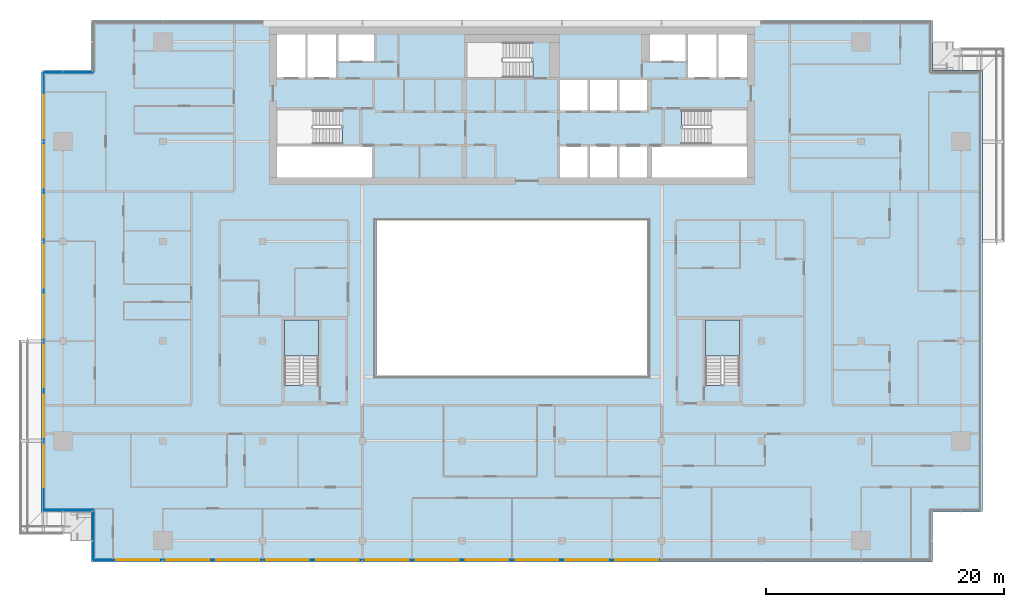
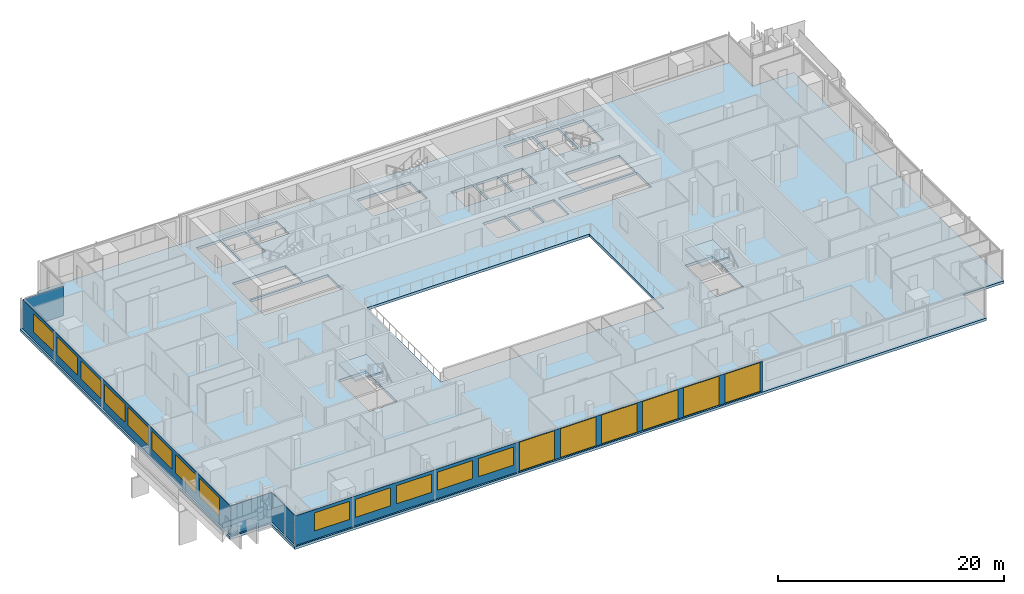
# One storey, part 14 of 30: 19 windows, 6 plates, 3 slabs, 19 openings, 7 elements without a shape of their own.
"""IFC4 building model written with IfcOpenShell, lengths in metres."""

from ifc_helpers import new_model, si_unit, direction, frame, frame_2d, origin, place, context, subcontext, project, spatial, polyline, rectangle, outline, extrude, material, layer, layer_set, type_object, element, fill, aggregate, save


model = new_model("IFC4")

# Units and contexts
model_context = context("Model", 3, precision=1e-05, world=origin(), true_north=direction((0.0, 1.0)))
body_context = subcontext(model_context, "Body", "Model", "MODEL_VIEW")
ifc_project = project(units=[si_unit("LENGTHUNIT", "METRE"), si_unit("AREAUNIT", "SQUARE_METRE"), si_unit("VOLUMEUNIT", "CUBIC_METRE"), si_unit("PLANEANGLEUNIT", "RADIAN"), si_unit("MASSUNIT", "GRAM", prefix="KILO")], contexts=[model_context])

# Site, building, storey
site_placement = place(None, origin())
site = spatial("IfcSite", under=ifc_project, at=site_placement, CompositionType="ELEMENT")
building_placement = place(site_placement, origin())
building = spatial("IfcBuilding", under=site, at=building_placement, Name="Saffron Gate Tower", CompositionType="ELEMENT")
storey_placement = place(building_placement, frame((0.0, 0.0, 245.10009765625)))
storey = spatial("IfcBuildingStorey", under=building, at=storey_placement, Name="L60", CompositionType="ELEMENT", Elevation=245.10009765625)

# Curtain wall, plates, openings, windows
ifc_material_1 = material(Name="Aluminium, bronze anodised", Category="aluminium")
curtain_wall_type_1 = type_object("IfcCurtainWallType", Name="CWS1 curtain wall front facade", PredefinedType="NOTDEFINED", material=ifc_material_1)
curtain_wall_1_placement = place(storey_placement, origin())
curtain_wall_1 = element("IfcCurtainWall", 1, at=curtain_wall_1_placement, inside=storey, type_object=curtain_wall_type_1, Name="CWS1 run 1", PredefinedType="NOTDEFINED")
ifc_material_2 = material(Name="Clear low-iron laminated glass", Category="glass")
ifc_layer_1 = layer(ifc_material_2, 0.028076171875)
ifc_layer_set_1 = layer_set([ifc_layer_1], Name="CWS1 clear glass")
plate_type_1 = type_object("IfcPlateType", Name="CWS1 clear glass", PredefinedType="CURTAIN_PANEL", material=ifc_layer_set_1)
plate_1_placement = place(storey_placement, frame((75.030029296875, 30.174072265625, 0.0), z_axis=(0.0, 0.0, 1.0), x_axis=(1.0, 0.0, 0.0)))
plate_1 = element("IfcPlate", 2, at=plate_1_placement, type_object=plate_type_1, Name="CWS1 clear glass panel", PredefinedType="CURTAIN_PANEL", context=body_context, shape_type="SweptSolid", body=[
    extrude(rectangle(XDim=25.139892578125, YDim=0.028076171875, at=frame_2d((12.56982421875, 0.0))), origin(), (0.0, 0.0, 1.0), 3.199951171875),
])
opening_1_placement = place(plate_1_placement, frame((0.27001953125, 0.0, 0.050048828125)))
opening_1 = element("IfcOpeningElement", 3, at=opening_1_placement, cuts=plate_1, Name="Opening WA", PredefinedType="OPENING", context=body_context, shape_type="SweptSolid", body=[
    extrude(rectangle(XDim=3.60009765625, YDim=3.10009765625, at=frame_2d((1.800048828125, 1.550048828125))), frame((0.0, 0.02392578125, 0.0), z_axis=(0.0, -1.0, 0.0), x_axis=(1.0, 0.0, 0.0)), (0.0, 0.0, 1.0), 0.048095703125),
])
opening_2_placement = place(plate_1_placement, frame((4.469970703125, 0.0, 0.050048828125)))
opening_2 = element("IfcOpeningElement", 4, at=opening_2_placement, cuts=plate_1, Name="Opening WA", PredefinedType="OPENING", context=body_context, shape_type="SweptSolid", body=[
    extrude(rectangle(XDim=3.60009765625, YDim=3.10009765625, at=frame_2d((1.800048828125, 1.550048828125))), frame((0.0, 0.02392578125, 0.0), z_axis=(0.0, -1.0, 0.0), x_axis=(1.0, 0.0, 0.0)), (0.0, 0.0, 1.0), 0.048095703125),
])
opening_3_placement = place(plate_1_placement, frame((8.669921875, 0.0, 0.050048828125)))
opening_3 = element("IfcOpeningElement", 5, at=opening_3_placement, cuts=plate_1, Name="Opening WA", PredefinedType="OPENING", context=body_context, shape_type="SweptSolid", body=[
    extrude(rectangle(XDim=3.60009765625, YDim=3.10009765625, at=frame_2d((1.800048828125, 1.550048828125))), frame((0.0, 0.02392578125, 0.0), z_axis=(0.0, -1.0, 0.0), x_axis=(1.0, 0.0, 0.0)), (0.0, 0.0, 1.0), 0.048095703125),
])
opening_4_placement = place(plate_1_placement, frame((12.8701171875, 0.0, 0.050048828125)))
opening_4 = element("IfcOpeningElement", 6, at=opening_4_placement, cuts=plate_1, Name="Opening WA", PredefinedType="OPENING", context=body_context, shape_type="SweptSolid", body=[
    extrude(rectangle(XDim=3.60009765625, YDim=3.10009765625, at=frame_2d((1.800048828125, 1.550048828125))), frame((0.0, 0.02392578125, 0.0), z_axis=(0.0, -1.0, 0.0), x_axis=(1.0, 0.0, 0.0)), (0.0, 0.0, 1.0), 0.048095703125),
])
opening_5_placement = place(plate_1_placement, frame((17.070068359375, 0.0, 0.050048828125)))
opening_5 = element("IfcOpeningElement", 7, at=opening_5_placement, cuts=plate_1, Name="Opening WA", PredefinedType="OPENING", context=body_context, shape_type="SweptSolid", body=[
    extrude(rectangle(XDim=3.60009765625, YDim=3.10009765625, at=frame_2d((1.800048828125, 1.550048828125))), frame((0.0, 0.02392578125, 0.0), z_axis=(0.0, -1.0, 0.0), x_axis=(1.0, 0.0, 0.0)), (0.0, 0.0, 1.0), 0.048095703125),
])
opening_6_placement = place(plate_1_placement, frame((21.27001953125, 0.0, 0.050048828125)))
opening_6 = element("IfcOpeningElement", 8, at=opening_6_placement, cuts=plate_1, Name="Opening WA", PredefinedType="OPENING", context=body_context, shape_type="SweptSolid", body=[
    extrude(rectangle(XDim=3.60009765625, YDim=3.10009765625, at=frame_2d((1.800048828125, 1.550048828125))), frame((0.0, 0.02392578125, 0.0), z_axis=(0.0, -1.0, 0.0), x_axis=(1.0, 0.0, 0.0)), (0.0, 0.0, 1.0), 0.048095703125),
])
ifc_material_3 = material(Name="Clear low-iron laminated glass in bronze frame", Category="glass")
ifc_layer_2 = layer(ifc_material_3, 0.06005859375)
ifc_layer_set_2 = layer_set([ifc_layer_2], Name="WA operable atrium unit 3600x3100")
window_type_1 = type_object("IfcWindowType", Name="WA operable atrium unit 3600x3100", PartitioningType="DOUBLE_PANEL_HORIZONTAL", PredefinedType="WINDOW", material=ifc_layer_set_2)
window_1_placement = place(opening_1_placement, origin())
window_1 = element("IfcWindow", 9, at=window_1_placement, type_object=window_type_1, Name="WA operable atrium unit", OverallHeight=3.10009765625, OverallWidth=3.60009765625, PartitioningType="SINGLE_PANEL", PredefinedType="WINDOW", context=body_context, shape_type="SweptSolid", body=[
    extrude(rectangle(XDim=3.60009765625, YDim=3.10009765625, at=frame_2d((1.800048828125, 1.550048828125))), frame((0.0, 0.013671875, 0.0), z_axis=(0.0, -1.0, 0.0), x_axis=(1.0, 0.0, 0.0)), (0.0, 0.0, 1.0), 0.027587890625),
])
fill(opening_1, window_1)
window_2_placement = place(opening_2_placement, origin())
window_2 = element("IfcWindow", 10, at=window_2_placement, type_object=window_type_1, Name="WA operable atrium unit", OverallHeight=3.10009765625, OverallWidth=3.60009765625, PartitioningType="SINGLE_PANEL", PredefinedType="WINDOW", context=body_context, shape_type="SweptSolid", body=[
    extrude(rectangle(XDim=3.60009765625, YDim=3.10009765625, at=frame_2d((1.800048828125, 1.550048828125))), frame((0.0, 0.013671875, 0.0), z_axis=(0.0, -1.0, 0.0), x_axis=(1.0, 0.0, 0.0)), (0.0, 0.0, 1.0), 0.027587890625),
])
fill(opening_2, window_2)
window_3_placement = place(opening_3_placement, origin())
window_3 = element("IfcWindow", 11, at=window_3_placement, type_object=window_type_1, Name="WA operable atrium unit", OverallHeight=3.10009765625, OverallWidth=3.60009765625, PartitioningType="SINGLE_PANEL", PredefinedType="WINDOW", context=body_context, shape_type="SweptSolid", body=[
    extrude(rectangle(XDim=3.60009765625, YDim=3.10009765625, at=frame_2d((1.800048828125, 1.550048828125))), frame((0.0, 0.013671875, 0.0), z_axis=(0.0, -1.0, 0.0), x_axis=(1.0, 0.0, 0.0)), (0.0, 0.0, 1.0), 0.027587890625),
])
fill(opening_3, window_3)
window_4_placement = place(opening_4_placement, origin())
window_4 = element("IfcWindow", 12, at=window_4_placement, type_object=window_type_1, Name="WA operable atrium unit", OverallHeight=3.10009765625, OverallWidth=3.60009765625, PartitioningType="SINGLE_PANEL", PredefinedType="WINDOW", context=body_context, shape_type="SweptSolid", body=[
    extrude(rectangle(XDim=3.60009765625, YDim=3.10009765625, at=frame_2d((1.800048828125, 1.550048828125))), frame((0.0, 0.013671875, 0.0), z_axis=(0.0, -1.0, 0.0), x_axis=(1.0, 0.0, 0.0)), (0.0, 0.0, 1.0), 0.027587890625),
])
fill(opening_4, window_4)
window_5_placement = place(opening_5_placement, origin())
window_5 = element("IfcWindow", 13, at=window_5_placement, type_object=window_type_1, Name="WA operable atrium unit", OverallHeight=3.10009765625, OverallWidth=3.60009765625, PartitioningType="SINGLE_PANEL", PredefinedType="WINDOW", context=body_context, shape_type="SweptSolid", body=[
    extrude(rectangle(XDim=3.60009765625, YDim=3.10009765625, at=frame_2d((1.800048828125, 1.550048828125))), frame((0.0, 0.013671875, 0.0), z_axis=(0.0, -1.0, 0.0), x_axis=(1.0, 0.0, 0.0)), (0.0, 0.0, 1.0), 0.027587890625),
])
fill(opening_5, window_5)
window_6_placement = place(opening_6_placement, origin())
window_6 = element("IfcWindow", 14, at=window_6_placement, type_object=window_type_1, Name="WA operable atrium unit", OverallHeight=3.10009765625, OverallWidth=3.60009765625, PartitioningType="SINGLE_PANEL", PredefinedType="WINDOW", context=body_context, shape_type="SweptSolid", body=[
    extrude(rectangle(XDim=3.60009765625, YDim=3.10009765625, at=frame_2d((1.800048828125, 1.550048828125))), frame((0.0, 0.013671875, 0.0), z_axis=(0.0, -1.0, 0.0), x_axis=(1.0, 0.0, 0.0)), (0.0, 0.0, 1.0), 0.027587890625),
])
fill(opening_6, window_6)
ifc_material_4 = material(Name="Fritted bronze-tinted laminated glass", Category="glass")
ifc_layer_3 = layer(ifc_material_4, 0.028076171875)
ifc_layer_set_3 = layer_set([ifc_layer_3], Name="CWS1 fixed glass")
plate_type_2 = type_object("IfcPlateType", Name="CWS1 fixed glass", PredefinedType="CURTAIN_PANEL", material=ifc_layer_set_3)
plate_2_placement = place(storey_placement, frame((52.387939453125, 30.174072265625, 0.0), z_axis=(0.0, 0.0, 1.0), x_axis=(1.0, 0.0, 0.0)))
plate_2 = element("IfcPlate", 15, at=plate_2_placement, type_object=plate_type_2, Name="CWS1 glass panel", PredefinedType="CURTAIN_PANEL", context=body_context, shape_type="SweptSolid", body=[
    extrude(rectangle(XDim=22.64208984375, YDim=0.028076171875, at=frame_2d((11.321044921875, 0.0))), origin(), (0.0, 0.0, 1.0), 3.199951171875),
])
opening_7_placement = place(plate_2_placement, frame((1.912109375, 0.0, 0.89990234375)))
opening_7 = element("IfcOpeningElement", 16, at=opening_7_placement, cuts=plate_2, Name="Opening W1", PredefinedType="OPENING", context=body_context, shape_type="SweptSolid", body=[
    extrude(rectangle(XDim=3.60009765625, YDim=1.949951171875, at=frame_2d((1.800048828125, 0.97509765625))), frame((0.0, 0.02392578125, 0.0), z_axis=(0.0, -1.0, 0.0), x_axis=(1.0, 0.0, 0.0)), (0.0, 0.0, 1.0), 0.048095703125),
])
opening_8_placement = place(plate_2_placement, frame((6.112060546875, 0.0, 0.89990234375)))
opening_8 = element("IfcOpeningElement", 17, at=opening_8_placement, cuts=plate_2, Name="Opening W1", PredefinedType="OPENING", context=body_context, shape_type="SweptSolid", body=[
    extrude(rectangle(XDim=3.60009765625, YDim=1.949951171875, at=frame_2d((1.800048828125, 0.97509765625))), frame((0.0, 0.02392578125, 0.0), z_axis=(0.0, -1.0, 0.0), x_axis=(1.0, 0.0, 0.0)), (0.0, 0.0, 1.0), 0.048095703125),
])
opening_9_placement = place(plate_2_placement, frame((10.31201171875, 0.0, 0.89990234375)))
opening_9 = element("IfcOpeningElement", 18, at=opening_9_placement, cuts=plate_2, Name="Opening W1", PredefinedType="OPENING", context=body_context, shape_type="SweptSolid", body=[
    extrude(rectangle(XDim=3.60009765625, YDim=1.949951171875, at=frame_2d((1.800048828125, 0.97509765625))), frame((0.0, 0.02392578125, 0.0), z_axis=(0.0, -1.0, 0.0), x_axis=(1.0, 0.0, 0.0)), (0.0, 0.0, 1.0), 0.048095703125),
])
opening_10_placement = place(plate_2_placement, frame((14.511962890625, 0.0, 0.89990234375)))
opening_10 = element("IfcOpeningElement", 19, at=opening_10_placement, cuts=plate_2, Name="Opening W1", PredefinedType="OPENING", context=body_context, shape_type="SweptSolid", body=[
    extrude(rectangle(XDim=3.60009765625, YDim=1.949951171875, at=frame_2d((1.800048828125, 0.97509765625))), frame((0.0, 0.02392578125, 0.0), z_axis=(0.0, -1.0, 0.0), x_axis=(1.0, 0.0, 0.0)), (0.0, 0.0, 1.0), 0.048095703125),
])
opening_11_placement = place(plate_2_placement, frame((18.7119140625, 0.0, 0.89990234375)))
opening_11 = element("IfcOpeningElement", 20, at=opening_11_placement, cuts=plate_2, Name="Opening W1", PredefinedType="OPENING", context=body_context, shape_type="SweptSolid", body=[
    extrude(rectangle(XDim=3.60009765625, YDim=1.949951171875, at=frame_2d((1.800048828125, 0.97509765625))), frame((0.0, 0.02392578125, 0.0), z_axis=(0.0, -1.0, 0.0), x_axis=(1.0, 0.0, 0.0)), (0.0, 0.0, 1.0), 0.048095703125),
])
ifc_material_5 = material(Name="Fritted bronze-tinted laminated glass in bronze frame", Category="glass")
ifc_layer_4 = layer(ifc_material_5, 0.06005859375)
ifc_layer_set_4 = layer_set([ifc_layer_4], Name="W1 operable panel 3600x1950")
window_type_2 = type_object("IfcWindowType", Name="W1 operable panel 3600x1950", PartitioningType="DOUBLE_PANEL_HORIZONTAL", PredefinedType="WINDOW", material=ifc_layer_set_4)
window_7_placement = place(opening_7_placement, origin())
window_7 = element("IfcWindow", 21, at=window_7_placement, type_object=window_type_2, Name="W1 operable panel", OverallHeight=1.949951171875, OverallWidth=3.60009765625, PartitioningType="SINGLE_PANEL", PredefinedType="WINDOW", context=body_context, shape_type="SweptSolid", body=[
    extrude(rectangle(XDim=3.60009765625, YDim=1.949951171875, at=frame_2d((1.800048828125, 0.97509765625))), frame((0.0, 0.013671875, 0.0), z_axis=(0.0, -1.0, 0.0), x_axis=(1.0, 0.0, 0.0)), (0.0, 0.0, 1.0), 0.027587890625),
])
fill(opening_7, window_7)
window_8_placement = place(opening_8_placement, origin())
window_8 = element("IfcWindow", 22, at=window_8_placement, type_object=window_type_2, Name="W1 operable panel", OverallHeight=1.949951171875, OverallWidth=3.60009765625, PartitioningType="SINGLE_PANEL", PredefinedType="WINDOW", context=body_context, shape_type="SweptSolid", body=[
    extrude(rectangle(XDim=3.60009765625, YDim=1.949951171875, at=frame_2d((1.800048828125, 0.97509765625))), frame((0.0, 0.013671875, 0.0), z_axis=(0.0, -1.0, 0.0), x_axis=(1.0, 0.0, 0.0)), (0.0, 0.0, 1.0), 0.027587890625),
])
fill(opening_8, window_8)
window_9_placement = place(opening_9_placement, origin())
window_9 = element("IfcWindow", 23, at=window_9_placement, type_object=window_type_2, Name="W1 operable panel", OverallHeight=1.949951171875, OverallWidth=3.60009765625, PartitioningType="SINGLE_PANEL", PredefinedType="WINDOW", context=body_context, shape_type="SweptSolid", body=[
    extrude(rectangle(XDim=3.60009765625, YDim=1.949951171875, at=frame_2d((1.800048828125, 0.97509765625))), frame((0.0, 0.013671875, 0.0), z_axis=(0.0, -1.0, 0.0), x_axis=(1.0, 0.0, 0.0)), (0.0, 0.0, 1.0), 0.027587890625),
])
fill(opening_9, window_9)
window_10_placement = place(opening_10_placement, origin())
window_10 = element("IfcWindow", 24, at=window_10_placement, type_object=window_type_2, Name="W1 operable panel", OverallHeight=1.949951171875, OverallWidth=3.60009765625, PartitioningType="SINGLE_PANEL", PredefinedType="WINDOW", context=body_context, shape_type="SweptSolid", body=[
    extrude(rectangle(XDim=3.60009765625, YDim=1.949951171875, at=frame_2d((1.800048828125, 0.97509765625))), frame((0.0, 0.013671875, 0.0), z_axis=(0.0, -1.0, 0.0), x_axis=(1.0, 0.0, 0.0)), (0.0, 0.0, 1.0), 0.027587890625),
])
fill(opening_10, window_10)
window_11_placement = place(opening_11_placement, origin())
window_11 = element("IfcWindow", 25, at=window_11_placement, type_object=window_type_2, Name="W1 operable panel", OverallHeight=1.949951171875, OverallWidth=3.60009765625, PartitioningType="SINGLE_PANEL", PredefinedType="WINDOW", context=body_context, shape_type="SweptSolid", body=[
    extrude(rectangle(XDim=3.60009765625, YDim=1.949951171875, at=frame_2d((1.800048828125, 0.97509765625))), frame((0.0, 0.013671875, 0.0), z_axis=(0.0, -1.0, 0.0), x_axis=(1.0, 0.0, 0.0)), (0.0, 0.0, 1.0), 0.027587890625),
])
fill(opening_11, window_11)
aggregate(curtain_wall_1, [plate_2, plate_1, window_7, window_8, window_9, window_10, window_11, window_1, window_2, window_3, window_4, window_5, window_6])

# Curtain wall, plate, openings, windows
curtain_wall_type_2 = type_object("IfcCurtainWallType", Name="CWS2 curtain wall side facades", PredefinedType="NOTDEFINED", material=ifc_material_1)
curtain_wall_2_placement = place(storey_placement, origin())
curtain_wall_2 = element("IfcCurtainWall", 26, at=curtain_wall_2_placement, inside=storey, type_object=curtain_wall_type_2, Name="CWS2 run 10", PredefinedType="NOTDEFINED")
ifc_layer_5 = layer(ifc_material_4, 0.028076171875)
ifc_layer_set_5 = layer_set([ifc_layer_5], Name="CWS2 fixed glass")
plate_type_3 = type_object("IfcPlateType", Name="CWS2 fixed glass", PredefinedType="CURTAIN_PANEL", material=ifc_layer_set_5)
plate_3_placement = place(storey_placement, frame((48.174072265625, 71.2119140625, 0.0), z_axis=(0.0, 0.0, 1.0), x_axis=(0.0, -1.0, 0.0)))
plate_3 = element("IfcPlate", 27, at=plate_3_placement, type_object=plate_type_3, Name="CWS2 glass panel", PredefinedType="CURTAIN_PANEL", context=body_context, shape_type="SweptSolid", body=[
    extrude(rectangle(XDim=36.823974609375, YDim=0.028076171875, at=frame_2d((18.412109375, 0.0))), origin(), (0.0, 0.0, 1.0), 3.199951171875),
])
opening_12_placement = place(plate_3_placement, frame((1.912109375, 0.0, 0.89990234375)))
opening_12 = element("IfcOpeningElement", 28, at=opening_12_placement, cuts=plate_3, Name="Opening W1", PredefinedType="OPENING", context=body_context, shape_type="SweptSolid", body=[
    extrude(rectangle(XDim=3.60009765625, YDim=1.949951171875, at=frame_2d((1.800048828125, 0.97509765625))), frame((0.0, 0.02392578125, 0.0), z_axis=(0.0, -1.0, 0.0), x_axis=(1.0, 0.0, 0.0)), (0.0, 0.0, 1.0), 0.048095703125),
])
opening_13_placement = place(plate_3_placement, frame((6.112060546875, 0.0, 0.89990234375)))
opening_13 = element("IfcOpeningElement", 29, at=opening_13_placement, cuts=plate_3, Name="Opening W1", PredefinedType="OPENING", context=body_context, shape_type="SweptSolid", body=[
    extrude(rectangle(XDim=3.60009765625, YDim=1.949951171875, at=frame_2d((1.800048828125, 0.97509765625))), frame((0.0, 0.02392578125, 0.0), z_axis=(0.0, -1.0, 0.0), x_axis=(1.0, 0.0, 0.0)), (0.0, 0.0, 1.0), 0.048095703125),
])
opening_14_placement = place(plate_3_placement, frame((10.31201171875, 0.0, 0.89990234375)))
opening_14 = element("IfcOpeningElement", 30, at=opening_14_placement, cuts=plate_3, Name="Opening W1", PredefinedType="OPENING", context=body_context, shape_type="SweptSolid", body=[
    extrude(rectangle(XDim=3.60009765625, YDim=1.949951171875, at=frame_2d((1.800048828125, 0.97509765625))), frame((0.0, 0.02392578125, 0.0), z_axis=(0.0, -1.0, 0.0), x_axis=(1.0, 0.0, 0.0)), (0.0, 0.0, 1.0), 0.048095703125),
])
opening_15_placement = place(plate_3_placement, frame((14.511962890625, 0.0, 0.89990234375)))
opening_15 = element("IfcOpeningElement", 31, at=opening_15_placement, cuts=plate_3, Name="Opening W1", PredefinedType="OPENING", context=body_context, shape_type="SweptSolid", body=[
    extrude(rectangle(XDim=3.60009765625, YDim=1.949951171875, at=frame_2d((1.800048828125, 0.97509765625))), frame((0.0, 0.02392578125, 0.0), z_axis=(0.0, -1.0, 0.0), x_axis=(1.0, 0.0, 0.0)), (0.0, 0.0, 1.0), 0.048095703125),
])
opening_16_placement = place(plate_3_placement, frame((18.7119140625, 0.0, 0.89990234375)))
opening_16 = element("IfcOpeningElement", 32, at=opening_16_placement, cuts=plate_3, Name="Opening W1", PredefinedType="OPENING", context=body_context, shape_type="SweptSolid", body=[
    extrude(rectangle(XDim=3.60009765625, YDim=1.949951171875, at=frame_2d((1.800048828125, 0.97509765625))), frame((0.0, 0.02392578125, 0.0), z_axis=(0.0, -1.0, 0.0), x_axis=(1.0, 0.0, 0.0)), (0.0, 0.0, 1.0), 0.048095703125),
])
opening_17_placement = place(plate_3_placement, frame((22.912109375, 0.0, 0.89990234375)))
opening_17 = element("IfcOpeningElement", 33, at=opening_17_placement, cuts=plate_3, Name="Opening W1", PredefinedType="OPENING", context=body_context, shape_type="SweptSolid", body=[
    extrude(rectangle(XDim=3.60009765625, YDim=1.949951171875, at=frame_2d((1.800048828125, 0.97509765625))), frame((0.0, 0.02392578125, 0.0), z_axis=(0.0, -1.0, 0.0), x_axis=(1.0, 0.0, 0.0)), (0.0, 0.0, 1.0), 0.048095703125),
])
opening_18_placement = place(plate_3_placement, frame((27.112060546875, 0.0, 0.89990234375)))
opening_18 = element("IfcOpeningElement", 34, at=opening_18_placement, cuts=plate_3, Name="Opening W1", PredefinedType="OPENING", context=body_context, shape_type="SweptSolid", body=[
    extrude(rectangle(XDim=3.60009765625, YDim=1.949951171875, at=frame_2d((1.800048828125, 0.97509765625))), frame((0.0, 0.02392578125, 0.0), z_axis=(0.0, -1.0, 0.0), x_axis=(1.0, 0.0, 0.0)), (0.0, 0.0, 1.0), 0.048095703125),
])
opening_19_placement = place(plate_3_placement, frame((31.31201171875, 0.0, 0.89990234375)))
opening_19 = element("IfcOpeningElement", 35, at=opening_19_placement, cuts=plate_3, Name="Opening W1", PredefinedType="OPENING", context=body_context, shape_type="SweptSolid", body=[
    extrude(rectangle(XDim=3.60009765625, YDim=1.949951171875, at=frame_2d((1.800048828125, 0.97509765625))), frame((0.0, 0.02392578125, 0.0), z_axis=(0.0, -1.0, 0.0), x_axis=(1.0, 0.0, 0.0)), (0.0, 0.0, 1.0), 0.048095703125),
])
window_12_placement = place(opening_12_placement, origin())
window_12 = element("IfcWindow", 36, at=window_12_placement, type_object=window_type_2, Name="W1 operable panel", OverallHeight=1.949951171875, OverallWidth=3.60009765625, PartitioningType="SINGLE_PANEL", PredefinedType="WINDOW", context=body_context, shape_type="SweptSolid", body=[
    extrude(rectangle(XDim=3.60009765625, YDim=1.949951171875, at=frame_2d((1.800048828125, 0.97509765625))), frame((0.0, 0.013671875, 0.0), z_axis=(0.0, -1.0, 0.0), x_axis=(1.0, 0.0, 0.0)), (0.0, 0.0, 1.0), 0.027587890625),
])
fill(opening_12, window_12)
window_13_placement = place(opening_13_placement, origin())
window_13 = element("IfcWindow", 37, at=window_13_placement, type_object=window_type_2, Name="W1 operable panel", OverallHeight=1.949951171875, OverallWidth=3.60009765625, PartitioningType="SINGLE_PANEL", PredefinedType="WINDOW", context=body_context, shape_type="SweptSolid", body=[
    extrude(rectangle(XDim=3.60009765625, YDim=1.949951171875, at=frame_2d((1.800048828125, 0.97509765625))), frame((0.0, 0.013671875, 0.0), z_axis=(0.0, -1.0, 0.0), x_axis=(1.0, 0.0, 0.0)), (0.0, 0.0, 1.0), 0.027587890625),
])
fill(opening_13, window_13)
window_14_placement = place(opening_14_placement, origin())
window_14 = element("IfcWindow", 38, at=window_14_placement, type_object=window_type_2, Name="W1 operable panel", OverallHeight=1.949951171875, OverallWidth=3.60009765625, PartitioningType="SINGLE_PANEL", PredefinedType="WINDOW", context=body_context, shape_type="SweptSolid", body=[
    extrude(rectangle(XDim=3.60009765625, YDim=1.949951171875, at=frame_2d((1.800048828125, 0.97509765625))), frame((0.0, 0.013671875, 0.0), z_axis=(0.0, -1.0, 0.0), x_axis=(1.0, 0.0, 0.0)), (0.0, 0.0, 1.0), 0.027587890625),
])
fill(opening_14, window_14)
window_15_placement = place(opening_15_placement, origin())
window_15 = element("IfcWindow", 39, at=window_15_placement, type_object=window_type_2, Name="W1 operable panel", OverallHeight=1.949951171875, OverallWidth=3.60009765625, PartitioningType="SINGLE_PANEL", PredefinedType="WINDOW", context=body_context, shape_type="SweptSolid", body=[
    extrude(rectangle(XDim=3.60009765625, YDim=1.949951171875, at=frame_2d((1.800048828125, 0.97509765625))), frame((0.0, 0.013671875, 0.0), z_axis=(0.0, -1.0, 0.0), x_axis=(1.0, 0.0, 0.0)), (0.0, 0.0, 1.0), 0.027587890625),
])
fill(opening_15, window_15)
window_16_placement = place(opening_16_placement, origin())
window_16 = element("IfcWindow", 40, at=window_16_placement, type_object=window_type_2, Name="W1 operable panel", OverallHeight=1.949951171875, OverallWidth=3.60009765625, PartitioningType="SINGLE_PANEL", PredefinedType="WINDOW", context=body_context, shape_type="SweptSolid", body=[
    extrude(rectangle(XDim=3.60009765625, YDim=1.949951171875, at=frame_2d((1.800048828125, 0.97509765625))), frame((0.0, 0.013671875, 0.0), z_axis=(0.0, -1.0, 0.0), x_axis=(1.0, 0.0, 0.0)), (0.0, 0.0, 1.0), 0.027587890625),
])
fill(opening_16, window_16)
window_17_placement = place(opening_17_placement, origin())
window_17 = element("IfcWindow", 41, at=window_17_placement, type_object=window_type_2, Name="W1 operable panel", OverallHeight=1.949951171875, OverallWidth=3.60009765625, PartitioningType="SINGLE_PANEL", PredefinedType="WINDOW", context=body_context, shape_type="SweptSolid", body=[
    extrude(rectangle(XDim=3.60009765625, YDim=1.949951171875, at=frame_2d((1.800048828125, 0.97509765625))), frame((0.0, 0.013671875, 0.0), z_axis=(0.0, -1.0, 0.0), x_axis=(1.0, 0.0, 0.0)), (0.0, 0.0, 1.0), 0.027587890625),
])
fill(opening_17, window_17)
window_18_placement = place(opening_18_placement, origin())
window_18 = element("IfcWindow", 42, at=window_18_placement, type_object=window_type_2, Name="W1 operable panel", OverallHeight=1.949951171875, OverallWidth=3.60009765625, PartitioningType="SINGLE_PANEL", PredefinedType="WINDOW", context=body_context, shape_type="SweptSolid", body=[
    extrude(rectangle(XDim=3.60009765625, YDim=1.949951171875, at=frame_2d((1.800048828125, 0.97509765625))), frame((0.0, 0.013671875, 0.0), z_axis=(0.0, -1.0, 0.0), x_axis=(1.0, 0.0, 0.0)), (0.0, 0.0, 1.0), 0.027587890625),
])
fill(opening_18, window_18)
window_19_placement = place(opening_19_placement, origin())
window_19 = element("IfcWindow", 43, at=window_19_placement, type_object=window_type_2, Name="W1 operable panel", OverallHeight=1.949951171875, OverallWidth=3.60009765625, PartitioningType="SINGLE_PANEL", PredefinedType="WINDOW", context=body_context, shape_type="SweptSolid", body=[
    extrude(rectangle(XDim=3.60009765625, YDim=1.949951171875, at=frame_2d((1.800048828125, 0.97509765625))), frame((0.0, 0.013671875, 0.0), z_axis=(0.0, -1.0, 0.0), x_axis=(1.0, 0.0, 0.0)), (0.0, 0.0, 1.0), 0.027587890625),
])
fill(opening_19, window_19)
aggregate(curtain_wall_2, [plate_3, window_12, window_13, window_14, window_15, window_16, window_17, window_18, window_19])

# Curtain wall, plate
curtain_wall_type_3 = type_object("IfcCurtainWallType", Name="CWS4 curtain wall corner returns", PredefinedType="NOTDEFINED", material=ifc_material_1)
curtain_wall_3_placement = place(storey_placement, origin())
curtain_wall_3 = element("IfcCurtainWall", 44, at=curtain_wall_3_placement, inside=storey, type_object=curtain_wall_type_3, Name="CWS4 run 9", PredefinedType="NOTDEFINED")
ifc_layer_6 = layer(ifc_material_4, 0.028076171875)
ifc_layer_set_6 = layer_set([ifc_layer_6], Name="CWS4 fixed glass")
plate_type_4 = type_object("IfcPlateType", Name="CWS4 fixed glass", PredefinedType="CURTAIN_PANEL", material=ifc_layer_set_6)
plate_4_placement = place(storey_placement, frame((52.360107421875, 71.22607421875, 0.0), z_axis=(0.0, 0.0, 1.0), x_axis=(-1.0, 0.0, 0.0)))
plate_4 = element("IfcPlate", 45, at=plate_4_placement, type_object=plate_type_4, Name="CWS4 glass panel", PredefinedType="CURTAIN_PANEL", context=body_context, shape_type="SweptSolid", body=[
    extrude(rectangle(XDim=4.172119140625, YDim=0.028076171875, at=frame_2d((2.0859375, 0.0))), origin(), (0.0, 0.0, 1.0), 3.199951171875),
])
aggregate(curtain_wall_3, [plate_4])

curtain_wall_4_placement = place(storey_placement, origin())
curtain_wall_4 = element("IfcCurtainWall", 46, at=curtain_wall_4_placement, inside=storey, type_object=curtain_wall_type_3, Name="CWS4 run 11", PredefinedType="NOTDEFINED")
plate_5_placement = place(storey_placement, frame((48.18798828125, 34.3740234375, 0.0), z_axis=(0.0, 0.0, 1.0), x_axis=(1.0, 0.0, 0.0)))
plate_5 = element("IfcPlate", 47, at=plate_5_placement, type_object=plate_type_4, Name="CWS4 glass panel", PredefinedType="CURTAIN_PANEL", context=body_context, shape_type="SweptSolid", body=[
    extrude(rectangle(XDim=4.172119140625, YDim=0.028076171875, at=frame_2d((2.0859375, 0.0))), origin(), (0.0, 0.0, 1.0), 3.199951171875),
])
aggregate(curtain_wall_4, [plate_5])

curtain_wall_5_placement = place(storey_placement, origin())
curtain_wall_5 = element("IfcCurtainWall", 48, at=curtain_wall_5_placement, inside=storey, type_object=curtain_wall_type_3, Name="CWS4 run 12", PredefinedType="NOTDEFINED")
plate_6_placement = place(storey_placement, frame((52.3740234375, 34.360107421875, 0.0), z_axis=(0.0, 0.0, 1.0), x_axis=(0.0, -1.0, 0.0)))
plate_6 = element("IfcPlate", 49, at=plate_6_placement, type_object=plate_type_4, Name="CWS4 glass panel", PredefinedType="CURTAIN_PANEL", context=body_context, shape_type="SweptSolid", body=[
    extrude(rectangle(XDim=4.172119140625, YDim=0.028076171875, at=frame_2d((2.0859375, 0.0))), origin(), (0.0, 0.0, 1.0), 3.199951171875),
])
aggregate(curtain_wall_5, [plate_6])

# Slab
ifc_material_6 = material(Name="Concrete C40", Category="concrete")
ifc_layer_7 = layer(ifc_material_6, 0.280029296875)
ifc_layer_set_7 = layer_set([ifc_layer_7], Name="S2 FLOOR SLAB 280 CONCRETE C40")
slab_type_1 = type_object("IfcSlabType", Name="S2 FLOOR SLAB 280 CONCRETE C40", PredefinedType="FLOOR", material=ifc_layer_set_7)
slab_1_placement = place(storey_placement, frame((0.0, 0.0, -0.280029296875)))
element("IfcSlab", 50, at=slab_1_placement, inside=storey, type_object=slab_type_1, Name="S2 FLOOR SLAB", PredefinedType="FLOOR", context=body_context, shape_type="SweptSolid", body=[
    extrude(outline(polyline([(48.0, 34.199951171875), (52.199951171875, 34.199951171875), (52.199951171875, 30.0), (123.0, 30.0), (123.0, 34.199951171875), (127.199951171875, 34.199951171875), (127.199951171875, 71.39990234375), (123.0, 71.39990234375), (123.0, 75.60009765625), (52.199951171875, 75.60009765625), (52.199951171875, 71.39990234375), (48.0, 71.39990234375), (48.0, 34.199951171875)]), holes=[polyline([(67.800048828125, 62.39990234375), (67.800048828125, 65.0), (75.800048828125, 65.0), (75.800048828125, 62.39990234375), (67.800048828125, 62.39990234375)]), polyline([(67.800048828125, 65.199951171875), (67.800048828125, 68.050048828125), (73.25, 68.050048828125), (73.25, 66.550048828125), (73.34912109375, 66.550048828125), (73.34912109375, 65.199951171875), (67.800048828125, 65.199951171875)]), polyline([(67.800048828125, 70.800048828125), (67.800048828125, 74.39990234375), (70.199951171875, 74.39990234375), (70.199951171875, 70.800048828125), (67.800048828125, 70.800048828125)]), polyline([(68.449951171875, 44.85107421875), (68.449951171875, 50.39990234375), (71.300048828125, 50.39990234375), (71.300048828125, 44.949951171875), (69.800048828125, 44.949951171875), (69.800048828125, 44.85107421875), (68.449951171875, 44.85107421875)]), polyline([(70.39990234375, 70.800048828125), (70.39990234375, 74.39990234375), (72.800048828125, 74.39990234375), (72.800048828125, 70.800048828125), (70.39990234375, 70.800048828125)]), polyline([(73.0, 72.199951171875), (73.0, 74.39990234375), (76.0, 74.39990234375), (76.0, 72.199951171875), (73.0, 72.199951171875)]), polyline([(76.199951171875, 45.60009765625), (76.199951171875, 58.800048828125), (99.0, 58.800048828125), (99.0, 45.60009765625), (76.199951171875, 45.60009765625)]), polyline([(83.800048828125, 70.800048828125), (83.800048828125, 73.75), (89.25, 73.75), (89.25, 72.14990234375), (89.34912109375, 72.14990234375), (89.34912109375, 70.800048828125), (83.800048828125, 70.800048828125)]), polyline([(91.64990234375, 62.39990234375), (91.64990234375, 65.0), (93.949951171875, 65.0), (93.949951171875, 62.39990234375), (91.64990234375, 62.39990234375)]), polyline([(91.64990234375, 68.0), (91.64990234375, 70.60009765625), (93.949951171875, 70.60009765625), (93.949951171875, 68.0), (91.64990234375, 68.0)]), polyline([(94.14990234375, 62.39990234375), (94.14990234375, 65.0), (96.449951171875, 65.0), (96.449951171875, 62.39990234375), (94.14990234375, 62.39990234375)]), polyline([(94.14990234375, 68.0), (94.14990234375, 70.60009765625), (96.449951171875, 70.60009765625), (96.449951171875, 68.0), (94.14990234375, 68.0)]), polyline([(96.64990234375, 62.39990234375), (96.64990234375, 65.0), (98.949951171875, 65.0), (98.949951171875, 62.39990234375), (96.64990234375, 62.39990234375)]), polyline([(96.64990234375, 68.0), (96.64990234375, 70.60009765625), (98.949951171875, 70.60009765625), (98.949951171875, 68.0), (96.64990234375, 68.0)]), polyline([(99.199951171875, 72.199951171875), (99.199951171875, 74.39990234375), (102.199951171875, 74.39990234375), (102.199951171875, 72.199951171875), (99.199951171875, 72.199951171875)]), polyline([(99.39990234375, 62.39990234375), (99.39990234375, 65.0), (107.39990234375, 65.0), (107.39990234375, 62.39990234375), (99.39990234375, 62.39990234375)]), polyline([(101.85107421875, 66.699951171875), (101.85107421875, 68.050048828125), (107.39990234375, 68.050048828125), (107.39990234375, 65.199951171875), (101.949951171875, 65.199951171875), (101.949951171875, 66.699951171875), (101.85107421875, 66.699951171875)]), polyline([(102.39990234375, 70.800048828125), (102.39990234375, 74.39990234375), (104.800048828125, 74.39990234375), (104.800048828125, 70.800048828125), (102.39990234375, 70.800048828125)]), polyline([(103.89990234375, 44.85107421875), (103.89990234375, 50.39990234375), (106.75, 50.39990234375), (106.75, 44.949951171875), (105.25, 44.949951171875), (105.25, 44.85107421875), (103.89990234375, 44.85107421875)]), polyline([(105.0, 70.800048828125), (105.0, 74.39990234375), (107.39990234375, 74.39990234375), (107.39990234375, 70.800048828125), (105.0, 70.800048828125)])]), origin(), (0.0, 0.0, 1.0), 0.280029296875),
])

# Stair, slab
stair_type = type_object("IfcStairType", Name="ST7 Stair 1350 wide, 20 risers of 180", PredefinedType="HALF_TURN_STAIR", material=ifc_material_6)
stair_1_placement = place(storey_placement, origin())
stair_1 = element("IfcStair", 51, at=stair_1_placement, inside=storey, type_object=stair_type, Name="L60 Exit stair D", PredefinedType="HALF_TURN_STAIR")
ifc_layer_8 = layer(ifc_material_6, 0.199951171875)
ifc_layer_set_8 = layer_set([ifc_layer_8], Name="SL1 Stair landing 200")
slab_type_2 = type_object("IfcSlabType", Name="SL1 Stair landing 200", PredefinedType="LANDING", material=ifc_layer_set_8)
slab_2_placement = place(storey_placement, frame((0.0, 0.0, 1.599853515625)))
slab_2 = element("IfcSlab", 52, at=slab_2_placement, type_object=slab_type_2, Name="ST-D landing 1", PredefinedType="LANDING", context=body_context, shape_type="SweptSolid", body=[
    extrude(outline(polyline([(71.300048828125, 47.3701171875), (71.300048828125, 50.39990234375), (68.449951171875, 50.39990234375), (68.449951171875, 47.3701171875), (71.300048828125, 47.3701171875)])), origin(), (0.0, 0.0, 1.0), 0.199951171875),
])
aggregate(stair_1, [slab_2])

stair_2_placement = place(storey_placement, origin())
stair_2 = element("IfcStair", 53, at=stair_2_placement, inside=storey, type_object=stair_type, Name="L60 Exit stair E", PredefinedType="HALF_TURN_STAIR")
slab_3_placement = place(storey_placement, frame((0.0, 0.0, 1.599853515625)))
slab_3 = element("IfcSlab", 54, at=slab_3_placement, type_object=slab_type_2, Name="ST-E landing 1", PredefinedType="LANDING", context=body_context, shape_type="SweptSolid", body=[
    extrude(outline(polyline([(106.75, 47.3701171875), (106.75, 50.39990234375), (103.89990234375, 50.39990234375), (103.89990234375, 47.3701171875), (106.75, 47.3701171875)])), origin(), (0.0, 0.0, 1.0), 0.199951171875),
])
aggregate(stair_2, [slab_3])

save(model, "model.ifc")
